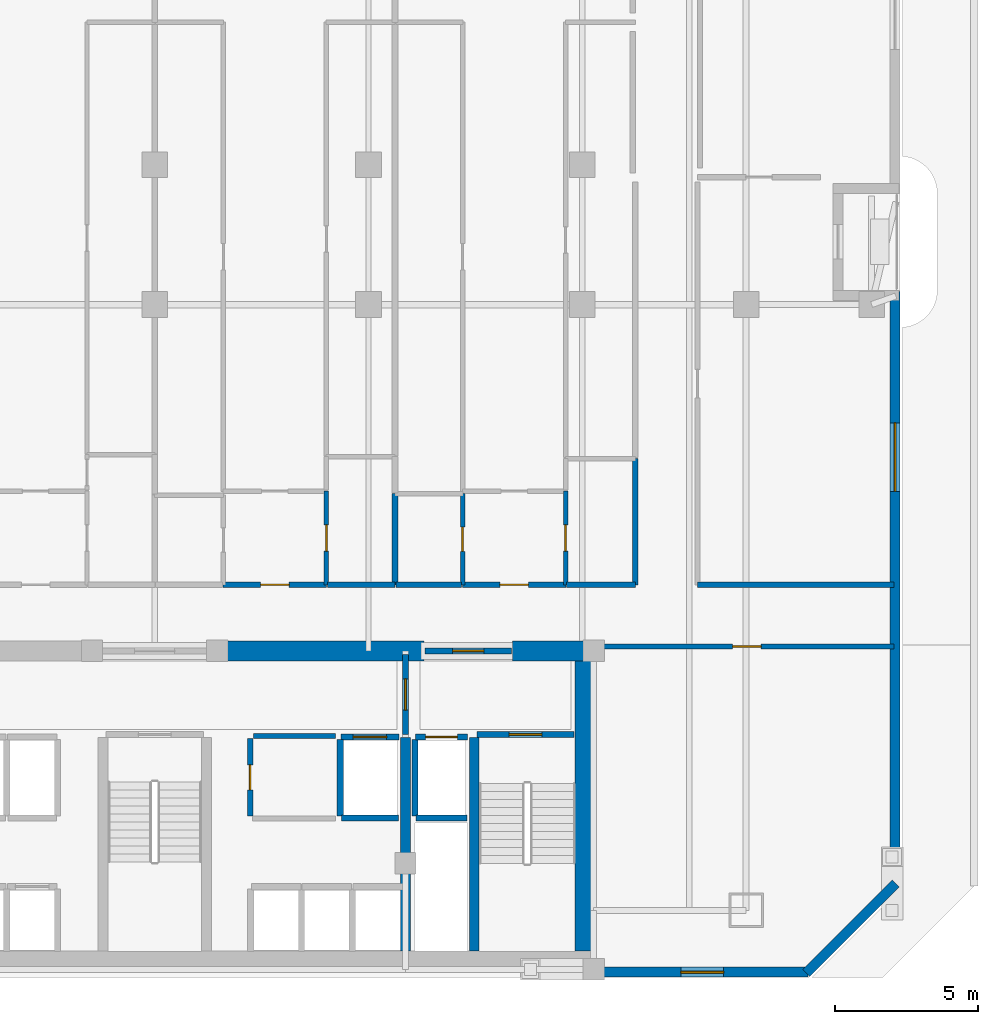
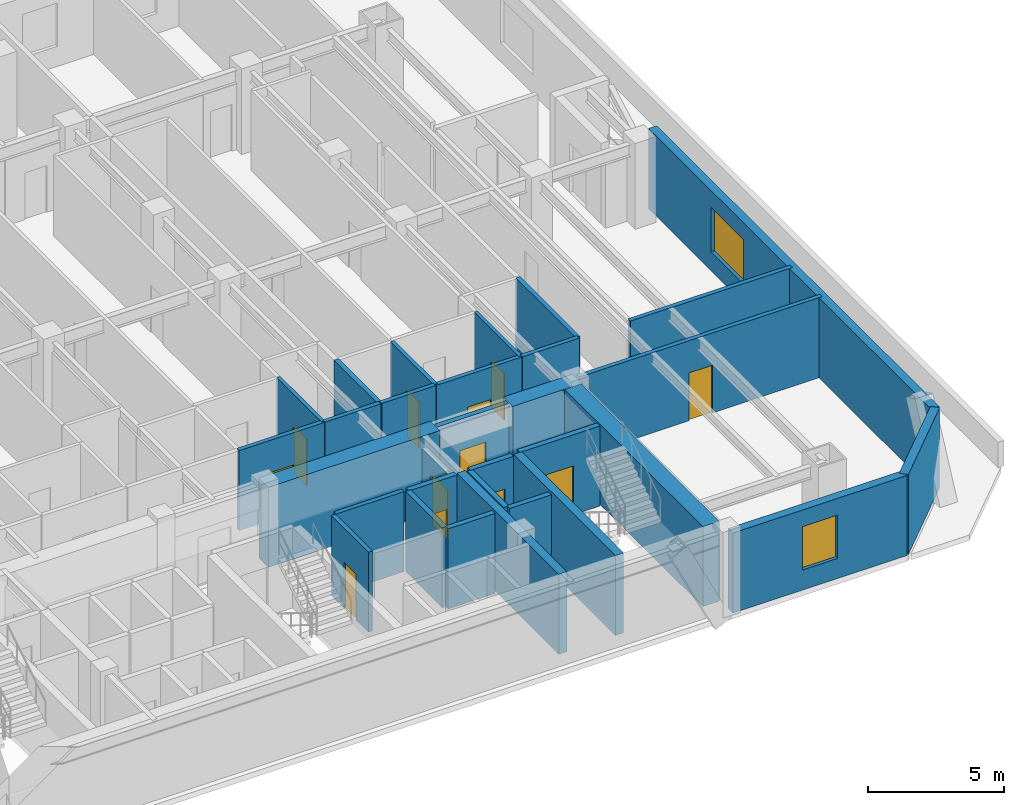
# One storey, part 5 of 10: 31 walls, 12 doors, 2 windows, 14 openings.
"""IFC4 building model written with IfcOpenShell, lengths in metres."""

from ifc_helpers import new_model, si_unit, direction, frame, frame_2d, origin, place, context, subcontext, project, spatial, rectangle, extrude, material, layer, layer_set, type_object, element, fill, save


model = new_model("IFC4")

# Units and contexts
model_context = context("Model", 3, precision=1e-05, world=origin(), true_north=direction((0.0, 1.0)))
body_context = subcontext(model_context, "Body", "Model", "MODEL_VIEW")
ifc_project = project(units=[si_unit("LENGTHUNIT", "METRE"), si_unit("AREAUNIT", "SQUARE_METRE"), si_unit("VOLUMEUNIT", "CUBIC_METRE"), si_unit("PLANEANGLEUNIT", "RADIAN"), si_unit("MASSUNIT", "GRAM", prefix="KILO")], contexts=[model_context])

# Site, building, storey
site_placement = place(None, origin())
site = spatial("IfcSite", under=ifc_project, at=site_placement, CompositionType="ELEMENT")
building_placement = place(site_placement, origin())
building = spatial("IfcBuilding", under=site, at=building_placement, Name="Ventersveld Concourse Tower", CompositionType="ELEMENT")
storey_placement = place(building_placement, frame((0.0, 0.0, 92.60009765625)))
storey = spatial("IfcBuildingStorey", under=building, at=storey_placement, Name="L22", CompositionType="ELEMENT", Elevation=92.60009765625)

# Walls
ifc_material_1 = material(Name="Concrete C60/75", Category="concrete")
ifc_layer_1 = layer(ifc_material_1, 0.35009765625)
ifc_layer_set_1 = layer_set([ifc_layer_1], Name="Concrete C60/75")
wall_type_1 = type_object("IfcWallType", Name="WL-CORE-350L", PredefinedType="SHEAR", material=ifc_layer_set_1)
for number, where, z_axis, x_axis, name in (
    (1, (37.550048828125, 0.919921875, 0.0), (0.0, 0.0, 1.0), (0.0, 1.0, 0.0), "L22 Core Internal Shear Web W-SVL-W"),
    (2, (39.9599609375, 0.919921875, 0.0), (0.0, 0.0, 1.0), (0.0, 1.0, 0.0), "L22 Core Internal Shear Web W-ST2-W"),
):
    element("IfcWall", number, at=place(storey_placement, frame(where, z_axis=z_axis, x_axis=x_axis)), inside=storey, type_object=wall_type_1, Name=name, PredefinedType="SHEAR", context=body_context, shape_type="SweptSolid", body=[
        extrude(rectangle(XDim=7.5, YDim=0.35009765625, at=frame_2d((3.75, 0.0))), origin(), (0.0, 0.0, 1.0), 3.599853515625),
    ])
ifc_layer_2 = layer(ifc_material_1, 0.699951171875)
ifc_layer_set_2 = layer_set([ifc_layer_2], Name="Concrete C60/75")
wall_type_2 = type_object("IfcWallType", Name="WL-CORE-700", PredefinedType="SHEAR", material=ifc_layer_set_2)
wall_1_placement = place(storey_placement, frame((43.85009765625, 0.919921875, 0.0), z_axis=(0.0, 0.0, 1.0), x_axis=(0.0, 1.0, 0.0)))
element("IfcWall", 3, at=wall_1_placement, inside=storey, type_object=wall_type_2, Name="L22 Rear Core East Shear Wall", PredefinedType="SHEAR", context=body_context, shape_type="SweptSolid", body=[
    extrude(rectangle(XDim=10.530029296875, YDim=0.699951171875, at=frame_2d((5.26513671875, 0.0))), origin(), (0.0, 0.0, 1.0), 3.599853515625),
])
wall_2_placement = place(storey_placement, frame((30.89990234375, 11.449951171875, 0.0), z_axis=(0.0, 0.0, 1.0), x_axis=(1.0, 0.0, 0.0)))
element("IfcWall", 4, at=wall_2_placement, inside=storey, type_object=wall_type_2, Name="L22 Rear Core North Shear Wall NMR", PredefinedType="SHEAR", context=body_context, shape_type="SweptSolid", body=[
    extrude(rectangle(XDim=7.300048828125, YDim=0.699951171875, at=frame_2d((3.64990234375, 0.0))), origin(), (0.0, 0.0, 1.0), 3.599853515625),
])
wall_3_placement = place(storey_placement, frame((41.300048828125, 11.449951171875, 0.0), z_axis=(0.0, 0.0, 1.0), x_axis=(1.0, 0.0, 0.0)))
element("IfcWall", 5, at=wall_3_placement, inside=storey, type_object=wall_type_2, Name="L22 Rear Core North Shear Wall NE", PredefinedType="SHEAR", context=body_context, shape_type="SweptSolid", body=[
    extrude(rectangle(XDim=2.949951171875, YDim=0.699951171875, at=frame_2d((1.47509765625, 0.0))), origin(), (0.0, 0.0, 1.0), 3.599853515625),
])

# Wall, opening, door
ifc_material_2 = material(Name="Fire-rated autoclaved aerated masonry blockwork", Category="masonry")
ifc_layer_3 = layer(ifc_material_2, 0.179931640625)
ifc_layer_set_3 = layer_set([ifc_layer_3], Name="Fire-rated autoclaved aerated masonry blockwork")
wall_type_3 = type_object("IfcWallType", Name="WL-CORR-180", PredefinedType="PARTITIONING", material=ifc_layer_set_3)
wall_4_placement = place(storey_placement, frame((32.10009765625, 5.64990234375, 0.0), z_axis=(0.0, 0.0, 1.0), x_axis=(0.0, 1.0, 0.0)))
wall_4 = element("IfcWall", 6, at=wall_4_placement, inside=storey, type_object=wall_type_3, Name="L22 Core Passage Wall SP-L22-CBAY1", PredefinedType="PARTITIONING", context=body_context, shape_type="SweptSolid", body=[
    extrude(rectangle(XDim=2.72998046875, YDim=0.179931640625, at=frame_2d((1.364990234375, 0.0))), origin(), (0.0, 0.0, 1.0), 3.599853515625),
])
opening_1_placement = place(wall_4_placement, frame((0.925048828125, 0.0, 0.0)))
opening_1 = element("IfcOpeningElement", 7, at=opening_1_placement, cuts=wall_4, Name="Opening FD5", PredefinedType="OPENING", context=body_context, shape_type="SweptSolid", body=[
    extrude(rectangle(XDim=0.8798828125, YDim=2.050048828125, at=frame_2d((0.43994140625, 1.02490234375))), frame((0.0, 0.10009765625, 0.0), z_axis=(0.0, -1.0, 0.0), x_axis=(1.0, 0.0, 0.0)), (0.0, 0.0, 1.0), 0.199951171875),
])
ifc_material_3 = material(Name="Galvanised painted steel", Category="steel")
door_type_1 = type_object("IfcDoorType", Name="DR-RISER-088", OperationType="NOTDEFINED", PredefinedType="DOOR", material=ifc_material_3)
door_1_placement = place(opening_1_placement, origin())
door_1 = element("IfcDoor", 8, at=door_1_placement, inside=storey, type_object=door_type_1, Name="L22 Core Room Door L22 Core Housekeeping Linen Store (CD-L22-1067)", OperationType="SINGLE_SWING_RIGHT", OverallHeight=2.050048828125, OverallWidth=0.8798828125, PredefinedType="DOOR", context=body_context, shape_type="SweptSolid", body=[
    extrude(rectangle(XDim=0.8798828125, YDim=2.050048828125, at=frame_2d((0.43994140625, 1.02490234375))), frame((0.0, 0.02490234375, 0.0), z_axis=(0.0, -1.0, 0.0), x_axis=(1.0, 0.0, 0.0)), (0.0, 0.0, 1.0), 0.050048828125),
])
fill(opening_1, door_1)

# Wall
wall_5_placement = place(storey_placement, frame((32.219970703125, 8.4599609375, 0.0), z_axis=(0.0, 0.0, 1.0), x_axis=(1.0, 0.0, 0.0)))
element("IfcWall", 9, at=wall_5_placement, inside=storey, type_object=wall_type_3, Name="L22 Core Top Wall SP-L22-CBAY1", PredefinedType="PARTITIONING", context=body_context, shape_type="SweptSolid", body=[
    extrude(rectangle(XDim=2.880126953125, YDim=0.179931640625, at=frame_2d((1.43994140625, 0.0))), origin(), (0.0, 0.0, 1.0), 3.599853515625),
])

# Wall, opening, door
wall_6_placement = place(storey_placement, frame((44.35498046875, 11.60009765625, 0.0), z_axis=(0.0, 0.0, 1.0), x_axis=(1.0, 0.0, 0.0)))
wall_6 = element("IfcWall", 10, at=wall_6_placement, inside=storey, type_object=wall_type_3, Name="L22 Interior Partition SP-L22-SE-OFF-SP-L22-COR", PredefinedType="PARTITIONING", context=body_context, shape_type="SweptSolid", body=[
    extrude(rectangle(XDim=10.3349609375, YDim=0.179931640625, at=frame_2d((5.16748046875, 0.0))), origin(), (0.0, 0.0, 1.0), 3.599853515625),
])
opening_2_placement = place(wall_6_placement, frame((4.66748046875, 0.0, 0.0)))
opening_2 = element("IfcOpeningElement", 11, at=opening_2_placement, cuts=wall_6, Name="Opening FD3", PredefinedType="OPENING", context=body_context, shape_type="SweptSolid", body=[
    extrude(rectangle(XDim=1.0, YDim=2.14990234375, at=frame_2d((0.5, 1.074951171875))), frame((0.0, 0.10009765625, 0.0), z_axis=(0.0, -1.0, 0.0), x_axis=(1.0, 0.0, 0.0)), (0.0, 0.0, 1.0), 0.199951171875),
])
ifc_material_4 = material(Name="Solid-core hardwood veneer timber", Category="wood")
door_type_2 = type_object("IfcDoorType", Name="DR-FLAT-100", OperationType="NOTDEFINED", PredefinedType="DOOR", material=ifc_material_4)
door_2_placement = place(opening_2_placement, origin())
door_2 = element("IfcDoor", 12, at=door_2_placement, inside=storey, type_object=door_type_2, Name="L22 Interior Door SP-L22-SE-OFF to SP-L22-COR (D-L22-1069)", OperationType="SINGLE_SWING_LEFT", OverallHeight=2.14990234375, OverallWidth=1.0, PredefinedType="DOOR", context=body_context, shape_type="SweptSolid", body=[
    extrude(rectangle(XDim=1.0, YDim=2.14990234375, at=frame_2d((0.5, 1.074951171875))), frame((0.0, 0.02490234375, 0.0), z_axis=(0.0, -1.0, 0.0), x_axis=(1.0, 0.0, 0.0)), (0.0, 0.0, 1.0), 0.050048828125),
])
fill(opening_2, door_2)

# Wall
wall_7_placement = place(storey_placement, frame((47.784912109375, 13.77001953125, 0.0), z_axis=(0.0, 0.0, 1.0), x_axis=(1.0, 0.0, 0.0)))
element("IfcWall", 13, at=wall_7_placement, inside=storey, type_object=wall_type_3, Name="L22 Interior Partition SP-L22-COR-SP-L22-NELNG1", PredefinedType="PARTITIONING", context=body_context, shape_type="SweptSolid", body=[
    extrude(rectangle(XDim=6.905029296875, YDim=0.179931640625, at=frame_2d((3.45263671875, 0.0))), origin(), (0.0, 0.0, 1.0), 3.599853515625),
])

# Wall, opening, door
wall_8_placement = place(storey_placement, frame((31.152587890625, 13.77001953125, 0.0), z_axis=(0.0, 0.0, 1.0), x_axis=(1.0, 0.0, 0.0)))
wall_8 = element("IfcWall", 14, at=wall_8_placement, inside=storey, type_object=wall_type_3, Name="L22 Interior Partition SP-L22-COR-SP-L22-22N3-FOY", PredefinedType="PARTITIONING", context=body_context, shape_type="SweptSolid", body=[
    extrude(rectangle(XDim=3.625, YDim=0.179931640625, at=frame_2d((1.8125, 0.0))), origin(), (0.0, 0.0, 1.0), 3.599853515625),
])
opening_3_placement = place(wall_8_placement, frame((1.3125, 0.0, 0.0)))
opening_3 = element("IfcOpeningElement", 15, at=opening_3_placement, cuts=wall_8, Name="Opening FD3", PredefinedType="OPENING", context=body_context, shape_type="SweptSolid", body=[
    extrude(rectangle(XDim=1.0, YDim=2.14990234375, at=frame_2d((0.5, 1.074951171875))), frame((0.0, 0.10009765625, 0.0), z_axis=(0.0, -1.0, 0.0), x_axis=(1.0, 0.0, 0.0)), (0.0, 0.0, 1.0), 0.199951171875),
])
door_3_placement = place(opening_3_placement, origin())
door_3 = element("IfcDoor", 16, at=door_3_placement, inside=storey, type_object=door_type_2, Name="L22 Interior Door SP-L22-COR to SP-L22-22N3-FOY (FD-L22-1074)", OperationType="SINGLE_SWING_RIGHT", OverallHeight=2.14990234375, OverallWidth=1.0, PredefinedType="DOOR", context=body_context, shape_type="SweptSolid", body=[
    extrude(rectangle(XDim=1.0, YDim=2.14990234375, at=frame_2d((0.5, 1.074951171875))), frame((0.0, 0.02490234375, 0.0), z_axis=(0.0, -1.0, 0.0), x_axis=(1.0, 0.0, 0.0)), (0.0, 0.0, 1.0), 0.050048828125),
])
fill(opening_3, door_3)

# Wall
wall_9_placement = place(storey_placement, frame((34.8076171875, 13.77001953125, 0.0), z_axis=(0.0, 0.0, 1.0), x_axis=(1.0, 0.0, 0.0)))
element("IfcWall", 17, at=wall_9_placement, inside=storey, type_object=wall_type_3, Name="L22 Interior Partition SP-L22-COR-SP-L22-22N3-KIT", PredefinedType="PARTITIONING", context=body_context, shape_type="SweptSolid", body=[
    extrude(rectangle(XDim=2.37744140625, YDim=0.179931640625, at=frame_2d((1.188720703125, 0.0))), origin(), (0.0, 0.0, 1.0), 3.599853515625),
])

# Wall, opening, door
wall_10_placement = place(storey_placement, frame((39.548095703125, 13.77001953125, 0.0), z_axis=(0.0, 0.0, 1.0), x_axis=(1.0, 0.0, 0.0)))
wall_10 = element("IfcWall", 18, at=wall_10_placement, inside=storey, type_object=wall_type_3, Name="L22 Interior Partition SP-L22-COR-SP-L22-22N4-FOY", PredefinedType="PARTITIONING", context=body_context, shape_type="SweptSolid", body=[
    extrude(rectangle(XDim=3.625, YDim=0.179931640625, at=frame_2d((1.8125, 0.0))), origin(), (0.0, 0.0, 1.0), 3.599853515625),
])
opening_4_placement = place(wall_10_placement, frame((1.3125, 0.0, 0.0)))
opening_4 = element("IfcOpeningElement", 19, at=opening_4_placement, cuts=wall_10, Name="Opening FD3", PredefinedType="OPENING", context=body_context, shape_type="SweptSolid", body=[
    extrude(rectangle(XDim=1.0, YDim=2.14990234375, at=frame_2d((0.5, 1.074951171875))), frame((0.0, 0.10009765625, 0.0), z_axis=(0.0, -1.0, 0.0), x_axis=(1.0, 0.0, 0.0)), (0.0, 0.0, 1.0), 0.199951171875),
])
door_4_placement = place(opening_4_placement, origin())
door_4 = element("IfcDoor", 20, at=door_4_placement, inside=storey, type_object=door_type_2, Name="L22 Interior Door SP-L22-COR to SP-L22-22N4-FOY (FD-L22-1075)", OperationType="SINGLE_SWING_LEFT", OverallHeight=2.14990234375, OverallWidth=1.0, PredefinedType="DOOR", context=body_context, shape_type="SweptSolid", body=[
    extrude(rectangle(XDim=1.0, YDim=2.14990234375, at=frame_2d((0.5, 1.074951171875))), frame((0.0, 0.02490234375, 0.0), z_axis=(0.0, -1.0, 0.0), x_axis=(1.0, 0.0, 0.0)), (0.0, 0.0, 1.0), 0.050048828125),
])
fill(opening_4, door_4)

# Walls
wall_11_placement = place(storey_placement, frame((37.215087890625, 13.77001953125, 0.0), z_axis=(0.0, 0.0, 1.0), x_axis=(1.0, 0.0, 0.0)))
element("IfcWall", 21, at=wall_11_placement, inside=storey, type_object=wall_type_3, Name="L22 Interior Partition SP-L22-COR-SP-L22-22N4-BATH", PredefinedType="PARTITIONING", context=body_context, shape_type="SweptSolid", body=[
    extrude(rectangle(XDim=2.30322265625, YDim=0.179931640625, at=frame_2d((1.151611328125, 0.0))), origin(), (0.0, 0.0, 1.0), 3.599853515625),
])
wall_12_placement = place(storey_placement, frame((45.610107421875, 13.764892578125, 0.0), z_axis=(0.0, 0.0, 1.0), x_axis=(0.0, 1.0, 0.0)))
element("IfcWall", 22, at=wall_12_placement, inside=storey, type_object=wall_type_3, Name="L22 Interior Partition SP-L22-COR-SP-L22-22N4-KIT", PredefinedType="PARTITIONING", context=body_context, shape_type="SweptSolid", body=[
    extrude(rectangle(XDim=4.4345703125, YDim=0.179931640625, at=frame_2d((2.21728515625, 0.0))), origin(), (0.0, 0.0, 1.0), 3.599853515625),
])
wall_13_placement = place(storey_placement, frame((43.203125, 13.77001953125, 0.0), z_axis=(0.0, 0.0, 1.0), x_axis=(1.0, 0.0, 0.0)))
element("IfcWall", 23, at=wall_13_placement, inside=storey, type_object=wall_type_3, Name="L22 Interior Partition SP-L22-COR-SP-L22-22N4-KIT", PredefinedType="PARTITIONING", context=body_context, shape_type="SweptSolid", body=[
    extrude(rectangle(XDim=2.411865234375, YDim=0.179931640625, at=frame_2d((1.2060546875, 0.0))), origin(), (0.0, 0.0, 1.0), 3.599853515625),
])
ifc_layer_4 = layer(ifc_material_2, 0.199951171875)
ifc_layer_set_4 = layer_set([ifc_layer_4], Name="Fire-rated autoclaved aerated masonry blockwork")
wall_type_4 = type_object("IfcWallType", Name="WL-DEMISE-200", PredefinedType="PARTITIONING", material=ifc_layer_set_4)
wall_14_placement = place(storey_placement, frame((37.179931640625, 13.764892578125, 0.0), z_axis=(0.0, 0.0, 1.0), x_axis=(0.0, 1.0, 0.0)))
element("IfcWall", 24, at=wall_14_placement, inside=storey, type_object=wall_type_4, Name="L22 Interior Partition SP-L22-22N3-KIT-SP-L22-22N4-BATH", PredefinedType="PARTITIONING", context=body_context, shape_type="SweptSolid", body=[
    extrude(rectangle(XDim=3.199462890625, YDim=0.199951171875, at=frame_2d((1.599609375, 0.0))), origin(), (0.0, 0.0, 1.0), 3.599853515625),
])
ifc_layer_5 = layer(ifc_material_2, 0.219970703125)
ifc_layer_set_5 = layer_set([ifc_layer_5], Name="Fire-rated autoclaved aerated masonry blockwork")
wall_type_5 = type_object("IfcWallType", Name="WL-HOIST-220", PredefinedType="SOLIDWALL", material=ifc_layer_set_5)
wall_15_placement = place(storey_placement, frame((37.919921875, 5.590087890625, 0.0), z_axis=(0.0, 0.0, 1.0), x_axis=(1.0, 0.0, 0.0)))
element("IfcWall", 25, at=wall_15_placement, inside=storey, type_object=wall_type_5, Name="L22 Lift Hoistway Back Wall FFL-02", PredefinedType="SOLIDWALL", context=body_context, shape_type="SweptSolid", body=[
    extrude(rectangle(XDim=1.780029296875, YDim=0.219970703125, at=frame_2d((0.89013671875, 0.0))), origin(), (0.0, 0.0, 1.0), 3.599853515625),
])
wall_16_placement = place(storey_placement, frame((37.8798828125, 5.64990234375, 0.0), z_axis=(0.0, 0.0, 1.0), x_axis=(0.0, 1.0, 0.0)))
element("IfcWall", 26, at=wall_16_placement, inside=storey, type_object=wall_type_5, Name="L22 Lift Hoistway Side Wall FFL-02W", PredefinedType="SOLIDWALL", context=body_context, shape_type="SweptSolid", body=[
    extrude(rectangle(XDim=2.7001953125, YDim=0.219970703125, at=frame_2d((1.35009765625, 0.0))), origin(), (0.0, 0.0, 1.0), 3.599853515625),
])

# Wall, opening, door
wall_17_placement = place(storey_placement, frame((37.89990234375, 8.429931640625, 0.0), z_axis=(0.0, 0.0, 1.0), x_axis=(1.0, 0.0, 0.0)))
wall_17 = element("IfcWall", 27, at=wall_17_placement, inside=storey, type_object=wall_type_5, Name="L22 Lift Hoistway Front Wall FFL-02", PredefinedType="SOLIDWALL", context=body_context, shape_type="SweptSolid", body=[
    extrude(rectangle(XDim=1.820068359375, YDim=0.219970703125, at=frame_2d((0.91015625, 0.0))), origin(), (0.0, 0.0, 1.0), 3.599853515625),
])
opening_5_placement = place(wall_17_placement, frame((0.35009765625, 0.0, 0.0)))
opening_5 = element("IfcOpeningElement", 28, at=opening_5_placement, cuts=wall_17, Name="Opening LD1", PredefinedType="OPENING", context=body_context, shape_type="SweptSolid", body=[
    extrude(rectangle(XDim=1.1201171875, YDim=2.25, at=frame_2d((0.56005859375, 1.125))), frame((0.0, 0.1201171875, 0.0), z_axis=(0.0, -1.0, 0.0), x_axis=(1.0, 0.0, 0.0)), (0.0, 0.0, 1.0), 0.239990234375),
])
ifc_material_5 = material(Name="Brushed stainless steel 316", Category="steel")
door_type_3 = type_object("IfcDoorType", Name="LD-FF-112", OperationType="SLIDING_TO_LEFT", PredefinedType="DOOR", material=ifc_material_5)
door_5_placement = place(opening_5_placement, origin())
door_5 = element("IfcDoor", 29, at=door_5_placement, inside=storey, type_object=door_type_3, Name="L22 Lift landing door FFL-02 (LD-L22-FFL-02)", OperationType="SLIDING_TO_RIGHT", OverallHeight=2.25, OverallWidth=1.1201171875, PredefinedType="DOOR", context=body_context, shape_type="SweptSolid", body=[
    extrude(rectangle(XDim=1.1201171875, YDim=2.25, at=frame_2d((0.56005859375, 1.125))), frame((0.0, 0.02490234375, 0.0), z_axis=(0.0, -1.0, 0.0), x_axis=(1.0, 0.0, 0.0)), (0.0, 0.0, 1.0), 0.050048828125),
])
fill(opening_5, door_5)

# Walls
wall_18_placement = place(storey_placement, frame((35.300048828125, 5.590087890625, 0.0), z_axis=(0.0, 0.0, 1.0), x_axis=(1.0, 0.0, 0.0)))
element("IfcWall", 30, at=wall_18_placement, inside=storey, type_object=wall_type_5, Name="L22 Lift Hoistway Back Wall SVL-01", PredefinedType="SOLIDWALL", context=body_context, shape_type="SweptSolid", body=[
    extrude(rectangle(XDim=2.0, YDim=0.219970703125, at=frame_2d((1.0, 0.0))), origin(), (0.0, 0.0, 1.0), 3.599853515625),
])
wall_19_placement = place(storey_placement, frame((35.260009765625, 5.64990234375, 0.0), z_axis=(0.0, 0.0, 1.0), x_axis=(0.0, 1.0, 0.0)))
element("IfcWall", 31, at=wall_19_placement, inside=storey, type_object=wall_type_5, Name="L22 Lift Hoistway Side Wall SVL-01W", PredefinedType="SOLIDWALL", context=body_context, shape_type="SweptSolid", body=[
    extrude(rectangle(XDim=2.7001953125, YDim=0.219970703125, at=frame_2d((1.35009765625, 0.0))), origin(), (0.0, 0.0, 1.0), 3.599853515625),
])

# Wall, opening, door
wall_20_placement = place(storey_placement, frame((35.280029296875, 8.429931640625, 0.0), z_axis=(0.0, 0.0, 1.0), x_axis=(1.0, 0.0, 0.0)))
wall_20 = element("IfcWall", 32, at=wall_20_placement, inside=storey, type_object=wall_type_5, Name="L22 Lift Hoistway Front Wall SVL-01", PredefinedType="SOLIDWALL", context=body_context, shape_type="SweptSolid", body=[
    extrude(rectangle(XDim=2.0400390625, YDim=0.219970703125, at=frame_2d((1.02001953125, 0.0))), origin(), (0.0, 0.0, 1.0), 3.599853515625),
])
opening_6_placement = place(wall_20_placement, frame((0.429931640625, 0.0, 0.0)))
opening_6 = element("IfcOpeningElement", 33, at=opening_6_placement, cuts=wall_20, Name="Opening LD2", PredefinedType="OPENING", context=body_context, shape_type="SweptSolid", body=[
    extrude(rectangle(XDim=1.179931640625, YDim=2.199951171875, at=frame_2d((0.58984375, 1.10009765625))), frame((0.0, 0.1201171875, 0.0), z_axis=(0.0, -1.0, 0.0), x_axis=(1.0, 0.0, 0.0)), (0.0, 0.0, 1.0), 0.239990234375),
])
door_type_4 = type_object("IfcDoorType", Name="LD-PAX-118", OperationType="SLIDING_TO_LEFT", PredefinedType="DOOR", material=ifc_material_5)
door_6_placement = place(opening_6_placement, origin())
door_6 = element("IfcDoor", 34, at=door_6_placement, inside=storey, type_object=door_type_4, Name="L22 Lift landing door SVL-01 (LD-L22-SVL-01)", OperationType="SLIDING_TO_LEFT", OverallHeight=2.199951171875, OverallWidth=1.179931640625, PredefinedType="DOOR", context=body_context, shape_type="SweptSolid", body=[
    extrude(rectangle(XDim=1.179931640625, YDim=2.199951171875, at=frame_2d((0.58984375, 1.10009765625))), frame((0.0, 0.02490234375, 0.0), z_axis=(0.0, -1.0, 0.0), x_axis=(1.0, 0.0, 0.0)), (0.0, 0.0, 1.0), 0.050048828125),
])
fill(opening_6, door_6)

wall_21_placement = place(storey_placement, frame((40.06005859375, 8.52001953125, 0.0), z_axis=(0.0, 0.0, 1.0), x_axis=(1.0, 0.0, 0.0)))
wall_21 = element("IfcWall", 35, at=wall_21_placement, inside=storey, type_object=wall_type_5, Name="L22 Escape Stair ST02 Fire Wall", PredefinedType="SOLIDWALL", context=body_context, shape_type="SweptSolid", body=[
    extrude(rectangle(XDim=3.39990234375, YDim=0.219970703125, at=frame_2d((1.699951171875, 0.0))), origin(), (0.0, 0.0, 1.0), 3.599853515625),
])
opening_7_placement = place(wall_21_placement, frame((1.125, 0.0, 0.0)))
opening_7 = element("IfcOpeningElement", 36, at=opening_7_placement, cuts=wall_21, Name="Opening FD1", PredefinedType="OPENING", context=body_context, shape_type="SweptSolid", body=[
    extrude(rectangle(XDim=1.14990234375, YDim=2.199951171875, at=frame_2d((0.574951171875, 1.10009765625))), frame((0.0, 0.1201171875, 0.0), z_axis=(0.0, -1.0, 0.0), x_axis=(1.0, 0.0, 0.0)), (0.0, 0.0, 1.0), 0.239990234375),
])
door_type_5 = type_object("IfcDoorType", Name="DR-STAIR-115", OperationType="NOTDEFINED", PredefinedType="DOOR", material=ifc_material_3)
door_7_placement = place(opening_7_placement, origin())
door_7 = element("IfcDoor", 37, at=door_7_placement, inside=storey, type_object=door_type_5, Name="L22 Escape Stair Door ST02 (SD-L22-1060)", OperationType="SINGLE_SWING_RIGHT", OverallHeight=2.199951171875, OverallWidth=1.14990234375, PredefinedType="DOOR", context=body_context, shape_type="SweptSolid", body=[
    extrude(rectangle(XDim=1.14990234375, YDim=2.199951171875, at=frame_2d((0.574951171875, 1.10009765625))), frame((0.0, 0.02490234375, 0.0), z_axis=(0.0, -1.0, 0.0), x_axis=(1.0, 0.0, 0.0)), (0.0, 0.0, 1.0), 0.050048828125),
])
fill(opening_7, door_7)

wall_22_placement = place(storey_placement, frame((37.550048828125, 8.52001953125, 0.0), z_axis=(0.0, 0.0, 1.0), x_axis=(0.0, 1.0, 0.0)))
wall_22 = element("IfcWall", 38, at=wall_22_placement, inside=storey, type_object=wall_type_5, Name="L22 Firefighting Lobby Smoke-Stop Wall FFLE-SEP", PredefinedType="SOLIDWALL", context=body_context, shape_type="SweptSolid", body=[
    extrude(rectangle(XDim=2.800048828125, YDim=0.219970703125, at=frame_2d((1.39990234375, 0.0))), origin(), (0.0, 0.0, 1.0), 3.055419921875),
])
opening_8_placement = place(wall_22_placement, frame((0.85009765625, 0.0, 0.0)))
opening_8 = element("IfcOpeningElement", 39, at=opening_8_placement, cuts=wall_22, Name="Opening FD2", PredefinedType="OPENING", context=body_context, shape_type="SweptSolid", body=[
    extrude(rectangle(XDim=1.10009765625, YDim=2.199951171875, at=frame_2d((0.550048828125, 1.10009765625))), frame((0.0, 0.1201171875, 0.0), z_axis=(0.0, -1.0, 0.0), x_axis=(1.0, 0.0, 0.0)), (0.0, 0.0, 1.0), 0.239990234375),
])
door_type_6 = type_object("IfcDoorType", Name="DR-FFL-110", OperationType="NOTDEFINED", PredefinedType="DOOR", material=ifc_material_3)
door_8_placement = place(opening_8_placement, origin())
door_8 = element("IfcDoor", 40, at=door_8_placement, inside=storey, type_object=door_type_6, Name="L22 Firefighting Lobby Door FFLE-SEP (FD-L22-1063)", OperationType="SINGLE_SWING_RIGHT", OverallHeight=2.199951171875, OverallWidth=1.10009765625, PredefinedType="DOOR", context=body_context, shape_type="SweptSolid", body=[
    extrude(rectangle(XDim=1.10009765625, YDim=2.199951171875, at=frame_2d((0.550048828125, 1.10009765625))), frame((0.0, 0.02490234375, 0.0), z_axis=(0.0, -1.0, 0.0), x_axis=(1.0, 0.0, 0.0)), (0.0, 0.0, 1.0), 0.050048828125),
])
fill(opening_8, door_8)

wall_23_placement = place(storey_placement, frame((38.22998046875, 11.449951171875, 0.0), z_axis=(0.0, 0.0, 1.0), x_axis=(1.0, 0.0, 0.0)))
wall_23 = element("IfcWall", 41, at=wall_23_placement, inside=storey, type_object=wall_type_5, Name="L22 Core North Fire Portal FFLE-OUT", PredefinedType="SOLIDWALL", context=body_context, shape_type="SweptSolid", body=[
    extrude(rectangle(XDim=3.0400390625, YDim=0.219970703125, at=frame_2d((1.52001953125, 0.0))), origin(), (0.0, 0.0, 1.0), 3.599853515625),
])
opening_9_placement = place(wall_23_placement, frame((0.969970703125, 0.0, 0.0)))
opening_9 = element("IfcOpeningElement", 42, at=opening_9_placement, cuts=wall_23, Name="Opening FD2", PredefinedType="OPENING", context=body_context, shape_type="SweptSolid", body=[
    extrude(rectangle(XDim=1.10009765625, YDim=2.199951171875, at=frame_2d((0.550048828125, 1.10009765625))), frame((0.0, 0.1201171875, 0.0), z_axis=(0.0, -1.0, 0.0), x_axis=(1.0, 0.0, 0.0)), (0.0, 0.0, 1.0), 0.239990234375),
])
door_9_placement = place(opening_9_placement, origin())
door_9 = element("IfcDoor", 43, at=door_9_placement, inside=storey, type_object=door_type_6, Name="L22 Core Lobby Fire Door FFLE-OUT (FD-L22-1066)", OperationType="SINGLE_SWING_LEFT", OverallHeight=2.199951171875, OverallWidth=1.10009765625, PredefinedType="DOOR", context=body_context, shape_type="SweptSolid", body=[
    extrude(rectangle(XDim=1.10009765625, YDim=2.199951171875, at=frame_2d((0.550048828125, 1.10009765625))), frame((0.0, 0.02490234375, 0.0), z_axis=(0.0, -1.0, 0.0), x_axis=(1.0, 0.0, 0.0)), (0.0, 0.0, 1.0), 0.050048828125),
])
fill(opening_9, door_9)

ifc_material_6 = material(Name="Autoclaved aerated masonry blockwork", Category="masonry")
ifc_layer_6 = layer(ifc_material_6, 0.14990234375)
ifc_layer_set_6 = layer_set([ifc_layer_6], Name="Autoclaved aerated masonry blockwork")
wall_type_6 = type_object("IfcWallType", Name="WL-INT-150", PredefinedType="PARTITIONING", material=ifc_layer_set_6)
wall_24_placement = place(storey_placement, frame((34.7724609375, 13.764892578125, 0.0), z_axis=(0.0, 0.0, 1.0), x_axis=(0.0, 1.0, 0.0)))
wall_24 = element("IfcWall", 44, at=wall_24_placement, inside=storey, type_object=wall_type_6, Name="L22 Interior Partition SP-L22-22N3-FOY-SP-L22-22N3-KIT", PredefinedType="PARTITIONING", context=body_context, shape_type="SweptSolid", body=[
    extrude(rectangle(XDim=3.294189453125, YDim=0.14990234375, at=frame_2d((1.64697265625, 0.0))), origin(), (0.0, 0.0, 1.0), 3.599853515625),
])
opening_10_placement = place(wall_24_placement, frame((1.18701171875, 0.0, 0.0)))
opening_10 = element("IfcOpeningElement", 45, at=opening_10_placement, cuts=wall_24, Name="Opening ID1", PredefinedType="OPENING", context=body_context, shape_type="SweptSolid", body=[
    extrude(rectangle(XDim=0.919921875, YDim=2.10009765625, at=frame_2d((0.4599609375, 1.050048828125))), frame((0.0, 0.0849609375, 0.0), z_axis=(0.0, -1.0, 0.0), x_axis=(1.0, 0.0, 0.0)), (0.0, 0.0, 1.0), 0.169921875),
])
door_type_7 = type_object("IfcDoorType", Name="DR-ROOM-092", OperationType="NOTDEFINED", PredefinedType="DOOR", material=ifc_material_4)
door_10_placement = place(opening_10_placement, origin())
door_10 = element("IfcDoor", 46, at=door_10_placement, inside=storey, type_object=door_type_7, Name="L22 Interior Door SP-L22-22N3-FOY to SP-L22-22N3-KIT (D-L22-1095)", OperationType="SINGLE_SWING_LEFT", OverallHeight=2.10009765625, OverallWidth=0.919921875, PredefinedType="DOOR", context=body_context, shape_type="SweptSolid", body=[
    extrude(rectangle(XDim=0.919921875, YDim=2.10009765625, at=frame_2d((0.4599609375, 1.050048828125))), frame((0.0, 0.02490234375, 0.0), z_axis=(0.0, -1.0, 0.0), x_axis=(1.0, 0.0, 0.0)), (0.0, 0.0, 1.0), 0.050048828125),
])
fill(opening_10, door_10)

wall_25_placement = place(storey_placement, frame((43.168212890625, 13.764892578125, 0.0), z_axis=(0.0, 0.0, 1.0), x_axis=(0.0, 1.0, 0.0)))
wall_25 = element("IfcWall", 47, at=wall_25_placement, inside=storey, type_object=wall_type_6, Name="L22 Interior Partition SP-L22-22N4-FOY-SP-L22-22N4-KIT", PredefinedType="PARTITIONING", context=body_context, shape_type="SweptSolid", body=[
    extrude(rectangle(XDim=3.294189453125, YDim=0.14990234375, at=frame_2d((1.64697265625, 0.0))), origin(), (0.0, 0.0, 1.0), 3.599853515625),
])
opening_11_placement = place(wall_25_placement, frame((1.18701171875, 0.0, 0.0)))
opening_11 = element("IfcOpeningElement", 48, at=opening_11_placement, cuts=wall_25, Name="Opening ID1", PredefinedType="OPENING", context=body_context, shape_type="SweptSolid", body=[
    extrude(rectangle(XDim=0.919921875, YDim=2.10009765625, at=frame_2d((0.4599609375, 1.050048828125))), frame((0.0, 0.0849609375, 0.0), z_axis=(0.0, -1.0, 0.0), x_axis=(1.0, 0.0, 0.0)), (0.0, 0.0, 1.0), 0.169921875),
])
door_11_placement = place(opening_11_placement, origin())
door_11 = element("IfcDoor", 49, at=door_11_placement, inside=storey, type_object=door_type_7, Name="L22 Interior Door SP-L22-22N4-FOY to SP-L22-22N4-KIT (D-L22-1102)", OperationType="SINGLE_SWING_RIGHT", OverallHeight=2.10009765625, OverallWidth=0.919921875, PredefinedType="DOOR", context=body_context, shape_type="SweptSolid", body=[
    extrude(rectangle(XDim=0.919921875, YDim=2.10009765625, at=frame_2d((0.4599609375, 1.050048828125))), frame((0.0, 0.02490234375, 0.0), z_axis=(0.0, -1.0, 0.0), x_axis=(1.0, 0.0, 0.0)), (0.0, 0.0, 1.0), 0.050048828125),
])
fill(opening_11, door_11)

# Wall, opening, window
ifc_material_7 = material(Name="Precast concrete C45/55", Category="concrete")
ifc_layer_7 = layer(ifc_material_7, 0.35009765625)
ifc_layer_set_7 = layer_set([ifc_layer_7], Name="Precast concrete C45/55")
wall_type_7 = type_object("IfcWallType", Name="WL-PREC-350", PredefinedType="SOLIDWALL", material=ifc_layer_set_7)
wall_26_placement = place(storey_placement, frame((44.25, 0.179931640625, 0.0), z_axis=(0.0, 0.0, 1.0), x_axis=(1.0, 0.0, 0.0)))
wall_26 = element("IfcWall", 50, at=wall_26_placement, inside=storey, type_object=wall_type_7, Name="L22 South-East Flank Precast Wall", PredefinedType="SOLIDWALL", context=body_context, shape_type="SweptSolid", body=[
    extrude(rectangle(XDim=7.409912109375, YDim=0.35009765625, at=frame_2d((3.705078125, 0.0))), origin(), (0.0, 0.0, 1.0), 3.599853515625),
])
opening_12_placement = place(wall_26_placement, frame((2.955078125, 0.0, 0.89990234375)))
opening_12 = element("IfcOpeningElement", 51, at=opening_12_placement, cuts=wall_26, Name="Opening W1", PredefinedType="OPENING", context=body_context, shape_type="SweptSolid", body=[
    extrude(rectangle(XDim=1.5, YDim=1.949951171875, at=frame_2d((0.75, 0.97509765625))), frame((0.0, 0.18505859375, 0.0), z_axis=(0.0, -1.0, 0.0), x_axis=(1.0, 0.0, 0.0)), (0.0, 0.0, 1.0), 0.3701171875),
])
ifc_material_8 = material(Name="Tempered acoustic Low-E IGU", Category="glass")
window_type_1 = type_object("IfcWindowType", Name="WIN-150x210", PartitioningType="SINGLE_PANEL", PredefinedType="WINDOW", material=ifc_material_8)
window_1_placement = place(opening_12_placement, origin())
window_1 = element("IfcWindow", 52, at=window_1_placement, inside=storey, type_object=window_type_1, Name="L22 Punched Low-E Window W-0242", OverallHeight=1.949951171875, OverallWidth=1.5, PartitioningType="SINGLE_PANEL", PredefinedType="WINDOW", context=body_context, shape_type="SweptSolid", body=[
    extrude(rectangle(XDim=1.5, YDim=1.949951171875, at=frame_2d((0.75, 0.97509765625))), frame((0.0, 0.030029296875, 0.0), z_axis=(0.0, -1.0, 0.0), x_axis=(1.0, 0.0, 0.0)), (0.0, 0.0, 1.0), 0.06005859375),
])
fill(opening_12, window_1)

# Wall
wall_27_placement = place(storey_placement, frame((51.6044921875, 0.152099609375, 0.0), z_axis=(0.0, 0.0, 1.0), x_axis=(0.707134240044, 0.707079321262, 0.0)))
element("IfcWall", 53, at=wall_27_placement, inside=storey, type_object=wall_type_7, Name="L22 Highveld Precast Facade Wall E02", PredefinedType="SOLIDWALL", context=body_context, shape_type="SweptSolid", body=[
    extrude(rectangle(XDim=4.445556640625, YDim=0.35009765625, at=frame_2d((2.22265625, 0.0))), origin(), (0.0, 0.0, 1.0), 3.599853515625),
])

# Wall, opening, window
wall_28_placement = place(storey_placement, frame((54.72509765625, 3.239990234375, 0.0), z_axis=(0.0, 0.0, 1.0), x_axis=(0.0, 1.0, 0.0)))
wall_28 = element("IfcWall", 54, at=wall_28_placement, inside=storey, type_object=wall_type_7, Name="L22 Highveld Precast Facade Wall E03", PredefinedType="SOLIDWALL", context=body_context, shape_type="SweptSolid", body=[
    extrude(rectangle(XDim=20.820068359375, YDim=0.35009765625, at=frame_2d((10.41015625, 0.0))), origin(), (0.0, 0.0, 1.0), 3.599853515625),
])
opening_13_placement = place(wall_28_placement, frame((13.8076171875, 0.0, 0.85009765625)))
opening_13 = element("IfcOpeningElement", 55, at=opening_13_placement, cuts=wall_28, Name="Opening W5", PredefinedType="OPENING", context=body_context, shape_type="SweptSolid", body=[
    extrude(rectangle(XDim=2.39990234375, YDim=2.0, at=frame_2d((1.199951171875, 1.0))), frame((0.0, 0.18505859375, 0.0), z_axis=(0.0, -1.0, 0.0), x_axis=(1.0, 0.0, 0.0)), (0.0, 0.0, 1.0), 0.3701171875),
])
window_type_2 = type_object("IfcWindowType", Name="WIN-240x210", PartitioningType="SINGLE_PANEL", PredefinedType="WINDOW", material=ifc_material_8)
window_2_placement = place(opening_13_placement, origin())
window_2 = element("IfcWindow", 56, at=window_2_placement, inside=storey, type_object=window_type_2, Name="L22 Punched Low-E Window W-0245", OverallHeight=2.0, OverallWidth=2.39990234375, PartitioningType="SINGLE_PANEL", PredefinedType="WINDOW", context=body_context, shape_type="SweptSolid", body=[
    extrude(rectangle(XDim=2.39990234375, YDim=2.0, at=frame_2d((1.199951171875, 1.0))), frame((0.0, 0.030029296875, 0.0), z_axis=(0.0, -1.0, 0.0), x_axis=(1.0, 0.0, 0.0)), (0.0, 0.0, 1.0), 0.06005859375),
])
fill(opening_13, window_2)

# Wall, opening, door
ifc_layer_8 = layer(ifc_material_6, 0.1650390625)
ifc_layer_set_8 = layer_set([ifc_layer_8], Name="Autoclaved aerated masonry blockwork")
wall_type_8 = type_object("IfcWallType", Name="WL-WET-165", PredefinedType="PLUMBINGWALL", material=ifc_layer_set_8)
wall_29_placement = place(storey_placement, frame((39.55322265625, 13.764892578125, 0.0), z_axis=(0.0, 0.0, 1.0), x_axis=(0.0, 1.0, 0.0)))
wall_29 = element("IfcWall", 57, at=wall_29_placement, inside=storey, type_object=wall_type_8, Name="L22 Interior Partition SP-L22-22N4-FOY-SP-L22-22N4-BATH", PredefinedType="PLUMBINGWALL", context=body_context, shape_type="SweptSolid", body=[
    extrude(rectangle(XDim=3.199462890625, YDim=0.1650390625, at=frame_2d((1.599609375, 0.0))), origin(), (0.0, 0.0, 1.0), 3.599853515625),
])
opening_14_placement = place(wall_29_placement, frame((1.1748046875, 0.0, 0.0)))
opening_14 = element("IfcOpeningElement", 58, at=opening_14_placement, cuts=wall_29, Name="Opening ID2", PredefinedType="OPENING", context=body_context, shape_type="SweptSolid", body=[
    extrude(rectangle(XDim=0.85009765625, YDim=2.10009765625, at=frame_2d((0.425048828125, 1.050048828125))), frame((0.0, 0.092529296875, 0.0), z_axis=(0.0, -1.0, 0.0), x_axis=(1.0, 0.0, 0.0)), (0.0, 0.0, 1.0), 0.18505859375),
])
door_type_8 = type_object("IfcDoorType", Name="DR-BATH-085", OperationType="NOTDEFINED", PredefinedType="DOOR", material=ifc_material_4)
door_12_placement = place(opening_14_placement, origin())
door_12 = element("IfcDoor", 59, at=door_12_placement, inside=storey, type_object=door_type_8, Name="L22 Interior Door SP-L22-22N4-FOY to SP-L22-22N4-BATH (D-L22-1101)", OperationType="SINGLE_SWING_LEFT", OverallHeight=2.10009765625, OverallWidth=0.85009765625, PredefinedType="DOOR", context=body_context, shape_type="SweptSolid", body=[
    extrude(rectangle(XDim=0.85009765625, YDim=2.10009765625, at=frame_2d((0.425048828125, 1.050048828125))), frame((0.0, 0.02490234375, 0.0), z_axis=(0.0, -1.0, 0.0), x_axis=(1.0, 0.0, 0.0)), (0.0, 0.0, 1.0), 0.050048828125),
])
fill(opening_14, door_12)

save(model, "model.ifc")
